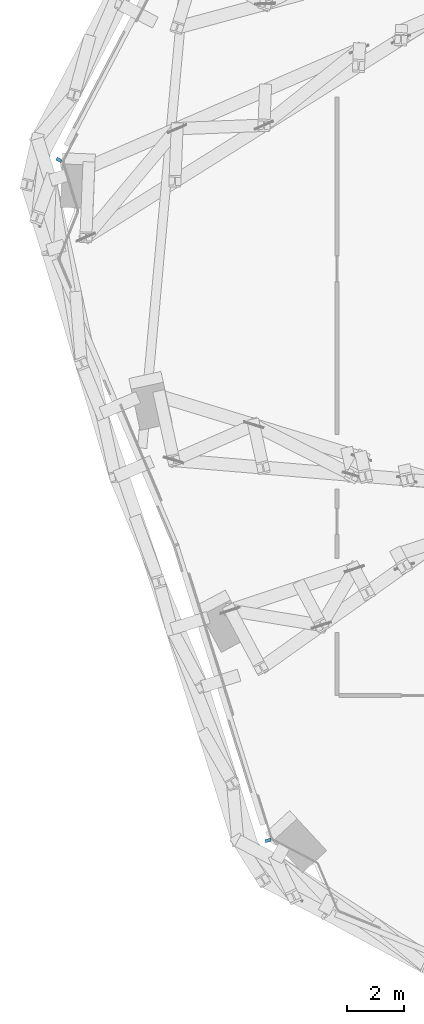
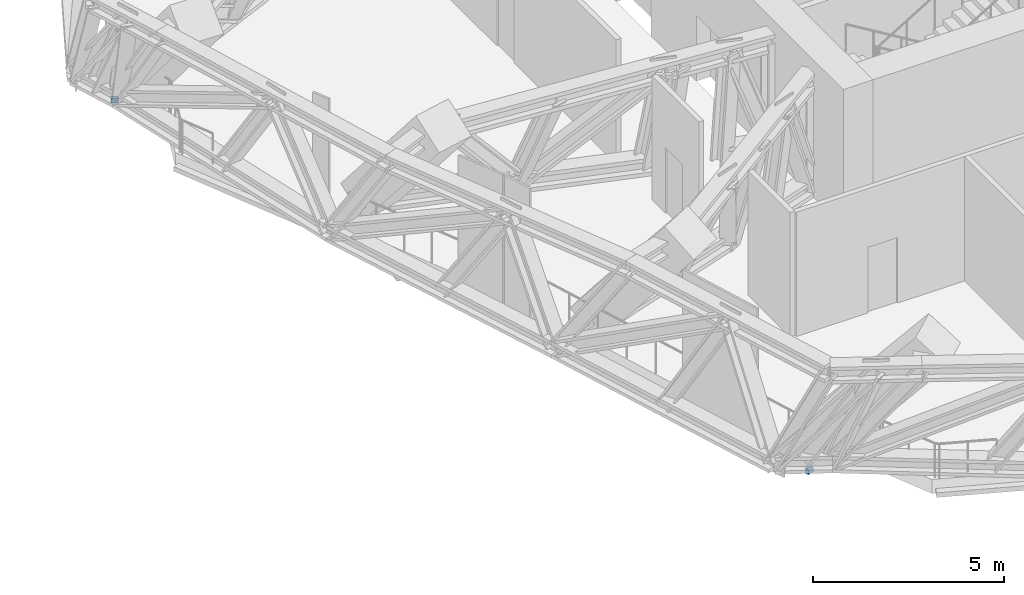
# One storey, part 14 of 31: 2 members, 2 elements without a shape of their own.
"""IFC4 building model written with IfcOpenShell, lengths in metres."""

from ifc_helpers import new_model, si_unit, direction, frame, origin, origin_2d, place, context, subcontext, project, spatial, rectangle, extrude, material, material_profile, profile_set, type_object, element, aggregate, save


model = new_model("IFC4")

# Units and contexts
model_context = context("Model", 3, precision=1e-05, world=origin(), true_north=direction((0.0, 1.0)))
body_context = subcontext(model_context, "Body", "Model", "MODEL_VIEW")
ifc_project = project(units=[si_unit("LENGTHUNIT", "METRE"), si_unit("AREAUNIT", "SQUARE_METRE"), si_unit("VOLUMEUNIT", "CUBIC_METRE"), si_unit("PLANEANGLEUNIT", "RADIAN"), si_unit("MASSUNIT", "GRAM", prefix="KILO")], contexts=[model_context])

# Site, building, storey
site_placement = place(None, origin())
site = spatial("IfcSite", under=ifc_project, at=site_placement, CompositionType="ELEMENT")
building_placement = place(site_placement, origin())
building = spatial("IfcBuilding", under=site, at=building_placement, Name="Orlundy Tower", CompositionType="ELEMENT")
storey_placement = place(building_placement, frame((0.0, 0.0, 271.0)))
storey = spatial("IfcBuildingStorey", under=building, at=storey_placement, Name="L72", CompositionType="ELEMENT", Elevation=271.0)

# Curtain wall, member
ifc_material_1 = material(Name="Aluminium bronze anodised", Category="aluminium")
curtain_wall_type = type_object("IfcCurtainWallType", Name="CW4 wall", PredefinedType="NOTDEFINED", material=ifc_material_1)
curtain_wall_1_placement = place(storey_placement, origin())
curtain_wall_1 = element("IfcCurtainWall", 1, at=curtain_wall_1_placement, inside=storey, type_object=curtain_wall_type, Name="CW4 run 03", PredefinedType="NOTDEFINED")
ifc_material_2 = material(Name="Aluminium bronze anodised", Category="aluminium")
ifc_material_profile = material_profile(ifc_material_2, rectangle(XDim=0.199951171875, YDim=0.14990234375, at=origin_2d()), Name="CW4 transom 200x150")
ifc_profile_set = profile_set([ifc_material_profile], Name="Aluminium bronze anodised")
member_type = type_object("IfcMemberType", Name="CW4 transom 200x150", PredefinedType="USERDEFINED", material=ifc_profile_set)
member_1_placement = place(storey_placement, frame((-25.0478515625, -20.77392578125, -0.375), z_axis=(-0.298274993136, 0.954479978035, 0.0), x_axis=(-0.954479978035, -0.298274993136, 0.0)))
member_1 = element("IfcMember", 2, at=member_1_placement, type_object=member_type, Name="CW4 transom", ObjectType="TRANSOM", PredefinedType="USERDEFINED", context=body_context, shape_type="SweptSolid", body=[
    extrude(rectangle(XDim=0.199951171875, YDim=0.14990234375, at=origin_2d()), origin(), (0.0, 0.0, 1.0), 0.114501953125),
])
aggregate(curtain_wall_1, [member_1])

curtain_wall_2_placement = place(storey_placement, origin())
curtain_wall_2 = element("IfcCurtainWall", 3, at=curtain_wall_2_placement, inside=storey, type_object=curtain_wall_type, Name="CW4 run 07", PredefinedType="NOTDEFINED")
member_2_placement = place(storey_placement, frame((-32.4013671875, 3.022216796875, -0.375), z_axis=(0.463067192188, 0.886323177808, 0.0), x_axis=(-0.886323177808, 0.463067192188, 0.0)))
member_2 = element("IfcMember", 4, at=member_2_placement, type_object=member_type, Name="CW4 transom", ObjectType="TRANSOM", PredefinedType="USERDEFINED", context=body_context, shape_type="SweptSolid", body=[
    extrude(rectangle(XDim=0.199951171875, YDim=0.14990234375, at=origin_2d()), origin(), (0.0, 0.0, 1.0), 0.116455078125),
])
aggregate(curtain_wall_2, [member_2])

save(model, "model.ifc")
